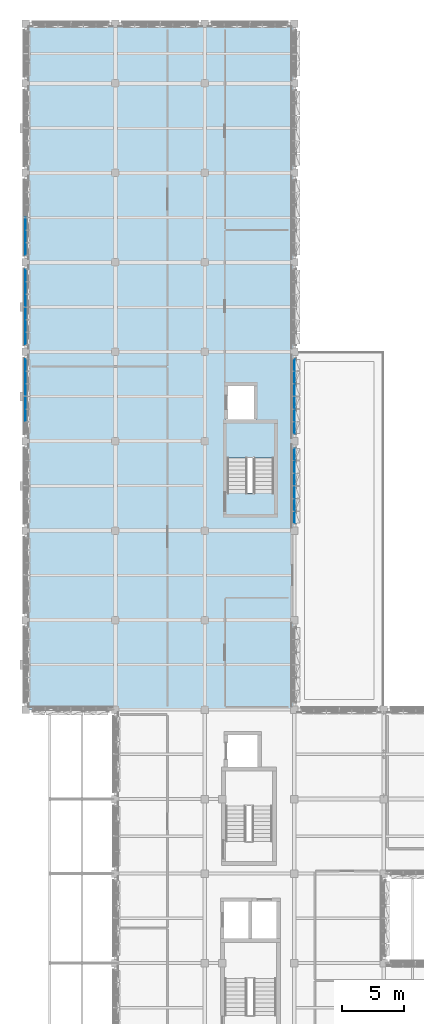
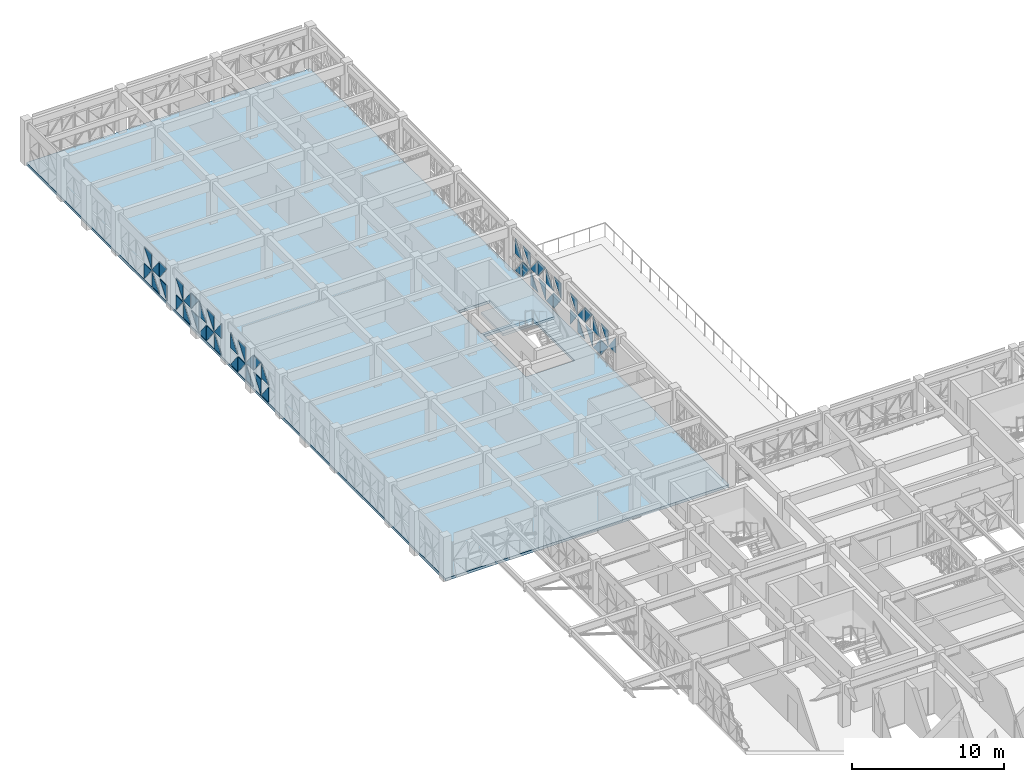
# One storey, part 43 of 99: 51 plates, 2 slabs, 6 elements without a shape of their own.
"""IFC4 building model written with IfcOpenShell, lengths in metres."""

from ifc_helpers import new_model, si_unit, direction, frame, origin, place, context, subcontext, project, spatial, polyline, outline, extrude, material, layer, layer_set, type_object, element, aggregate, save


model = new_model("IFC4")

# Units and contexts
model_context = context("Model", 3, precision=1e-05, world=origin(), true_north=direction((0.0, 1.0)))
body_context = subcontext(model_context, "Body", "Model", "MODEL_VIEW")
ifc_project = project(units=[si_unit("LENGTHUNIT", "METRE"), si_unit("AREAUNIT", "SQUARE_METRE"), si_unit("VOLUMEUNIT", "CUBIC_METRE"), si_unit("PLANEANGLEUNIT", "RADIAN"), si_unit("MASSUNIT", "GRAM", prefix="KILO")], contexts=[model_context])

# Site, building, storey
site_placement = place(None, origin())
site = spatial("IfcSite", under=ifc_project, at=site_placement, CompositionType="ELEMENT")
building_placement = place(site_placement, origin())
building = spatial("IfcBuilding", under=site, at=building_placement, Name="Alvorim Cloister Faculty of Sciences", CompositionType="ELEMENT")
storey_placement = place(building_placement, frame((0.0, 0.0, 12.14990234375)))
storey = spatial("IfcBuildingStorey", under=building, at=storey_placement, Name="L03", CompositionType="ELEMENT", Elevation=12.14990234375)

# Curtain wall, plates
ifc_material_1 = material(Name="Aluminium and Low-E Glass Curtain Wall", Category="aluminium")
curtain_wall_type = type_object("IfcCurtainWallType", Name="CW-TRI-6120x2850", PredefinedType="USERDEFINED", material=ifc_material_1)
curtain_wall_1_placement = place(storey_placement, origin())
curtain_wall_1 = element("IfcCurtainWall", 1, at=curtain_wall_1_placement, inside=storey, type_object=curtain_wall_type, Name="L03 Diagonal Cassette Curtain Wall CW-0109", ObjectType="UNITISED CURTAIN WALL", PredefinedType="USERDEFINED")
ifc_material_2 = material(Name="Double Low-E Laminated Glass", Category="glass")
ifc_layer_1 = layer(ifc_material_2, 0.0400390625)
ifc_layer_set_1 = layer_set([ifc_layer_1], Name="Double Low-E Laminated Glass")
plate_type = type_object("IfcPlateType", Name="PN-GLZ-40", PredefinedType="CURTAIN_PANEL", material=ifc_layer_set_1)
plate_1_placement = place(storey_placement, frame((-0.02490234375, 79.592529296875, 0.14013671875), z_axis=(0.0, 0.0, 1.0), x_axis=(0.0, 1.0, 0.0)))
plate_1 = element("IfcPlate", 2, at=plate_1_placement, type_object=plate_type, Name="Diagonal Glazed Triangle TRI-BL", PredefinedType="CURTAIN_PANEL", context=body_context, shape_type="SweptSolid", body=[
    extrude(outline(polyline([(0.0, 0.0), (0.953125, 0.0), (0.0, 1.212890625), (0.0, 0.0)])), frame((0.0, 0.02490234375, 0.0), z_axis=(0.0, -1.0, 0.0), x_axis=(1.0, 0.0, 0.0)), (0.0, 0.0, 1.0), 0.050048828125),
])
plate_2_placement = place(storey_placement, frame((-0.02490234375, 79.592529296875, 1.4951171875), z_axis=(0.0, 0.0, 1.0), x_axis=(0.0, 1.0, 0.0)))
plate_2 = element("IfcPlate", 3, at=plate_2_placement, type_object=plate_type, Name="Diagonal Glazed Triangle TRI-BR", PredefinedType="CURTAIN_PANEL", context=body_context, shape_type="SweptSolid", body=[
    extrude(outline(polyline([(0.001953125, 0.0), (0.955078125, 0.0), (0.955078125, 1.213134765625), (0.001953125, 0.0)])), frame((0.0, 0.02490234375, 0.0), z_axis=(0.0, -1.0, 0.0), x_axis=(1.0, 0.0, 0.0)), (0.0, 0.0, 1.0), 0.050048828125),
])
plate_3_placement = place(storey_placement, frame((-0.02490234375, 80.612548828125, 0.14013671875), z_axis=(0.0, 0.0, 1.0), x_axis=(0.0, 1.0, 0.0)))
plate_3 = element("IfcPlate", 4, at=plate_3_placement, type_object=plate_type, Name="Diagonal Glazed Triangle TRI-TL", PredefinedType="CURTAIN_PANEL", context=body_context, shape_type="SweptSolid", body=[
    extrude(outline(polyline([(0.953125, 1.21484375), (0.0, 1.21484375), (0.0, 0.001953125), (0.953125, 1.21484375)])), frame((0.0, 0.02490234375, 0.0), z_axis=(0.0, -1.0, 0.0), x_axis=(1.0, 0.0, 0.0)), (0.0, 0.0, 1.0), 0.050048828125),
])
plate_4_placement = place(storey_placement, frame((-0.02490234375, 80.612548828125, 1.4951171875), z_axis=(0.0, 0.0, 1.0), x_axis=(0.0, 1.0, 0.0)))
plate_4 = element("IfcPlate", 5, at=plate_4_placement, type_object=plate_type, Name="Diagonal Glazed Triangle TRI-TR", PredefinedType="CURTAIN_PANEL", context=body_context, shape_type="SweptSolid", body=[
    extrude(outline(polyline([(0.955078125, 0.001953125), (0.955078125, 1.215087890625), (0.001953125, 1.215087890625), (0.955078125, 0.001953125)])), frame((0.0, 0.02490234375, 0.0), z_axis=(0.0, -1.0, 0.0), x_axis=(1.0, 0.0, 0.0)), (0.0, 0.0, 1.0), 0.050048828125),
])
plate_5_placement = place(storey_placement, frame((-0.02490234375, 81.632568359375, 0.14013671875), z_axis=(0.0, 0.0, 1.0), x_axis=(0.0, 1.0, 0.0)))
plate_5 = element("IfcPlate", 6, at=plate_5_placement, type_object=plate_type, Name="Diagonal Glazed Triangle TRI-BR", PredefinedType="CURTAIN_PANEL", context=body_context, shape_type="SweptSolid", body=[
    extrude(outline(polyline([(0.001953125, 0.0), (0.955078125, 0.0), (0.955078125, 1.212890625), (0.001953125, 0.0)])), frame((0.0, 0.02490234375, 0.0), z_axis=(0.0, -1.0, 0.0), x_axis=(1.0, 0.0, 0.0)), (0.0, 0.0, 1.0), 0.050048828125),
])
plate_6_placement = place(storey_placement, frame((-0.02490234375, 81.632568359375, 1.4951171875), z_axis=(0.0, 0.0, 1.0), x_axis=(0.0, 1.0, 0.0)))
plate_6 = element("IfcPlate", 7, at=plate_6_placement, type_object=plate_type, Name="Diagonal Glazed Triangle TRI-BL", PredefinedType="CURTAIN_PANEL", context=body_context, shape_type="SweptSolid", body=[
    extrude(outline(polyline([(0.0, 0.0), (0.953125, 0.0), (0.0, 1.213134765625), (0.0, 0.0)])), frame((0.0, 0.02490234375, 0.0), z_axis=(0.0, -1.0, 0.0), x_axis=(1.0, 0.0, 0.0)), (0.0, 0.0, 1.0), 0.050048828125),
])
plate_7_placement = place(storey_placement, frame((-0.02490234375, 82.652587890625, 0.14013671875), z_axis=(0.0, 0.0, 1.0), x_axis=(0.0, 1.0, 0.0)))
plate_7 = element("IfcPlate", 8, at=plate_7_placement, type_object=plate_type, Name="Diagonal Glazed Triangle TRI-TR", PredefinedType="CURTAIN_PANEL", context=body_context, shape_type="SweptSolid", body=[
    extrude(outline(polyline([(0.955078125, 0.001953125), (0.955078125, 1.21484375), (0.001953125, 1.21484375), (0.955078125, 0.001953125)])), frame((0.0, 0.02490234375, 0.0), z_axis=(0.0, -1.0, 0.0), x_axis=(1.0, 0.0, 0.0)), (0.0, 0.0, 1.0), 0.050048828125),
])
plate_8_placement = place(storey_placement, frame((-0.02490234375, 82.652587890625, 1.4951171875), z_axis=(0.0, 0.0, 1.0), x_axis=(0.0, 1.0, 0.0)))
plate_8 = element("IfcPlate", 9, at=plate_8_placement, type_object=plate_type, Name="Diagonal Glazed Triangle TRI-TL", PredefinedType="CURTAIN_PANEL", context=body_context, shape_type="SweptSolid", body=[
    extrude(outline(polyline([(0.953125, 1.215087890625), (0.0, 1.215087890625), (0.0, 0.001953125), (0.953125, 1.215087890625)])), frame((0.0, 0.02490234375, 0.0), z_axis=(0.0, -1.0, 0.0), x_axis=(1.0, 0.0, 0.0)), (0.0, 0.0, 1.0), 0.050048828125),
])
plate_9_placement = place(storey_placement, frame((-0.02490234375, 83.672607421875, 0.14013671875), z_axis=(0.0, 0.0, 1.0), x_axis=(0.0, 1.0, 0.0)))
plate_9 = element("IfcPlate", 10, at=plate_9_placement, type_object=plate_type, Name="Diagonal Glazed Triangle TRI-BL", PredefinedType="CURTAIN_PANEL", context=body_context, shape_type="SweptSolid", body=[
    extrude(outline(polyline([(0.0, 0.0), (0.920654296875, 0.0), (0.0, 1.212890625), (0.0, 0.0)])), frame((0.0, 0.02490234375, 0.0), z_axis=(0.0, -1.0, 0.0), x_axis=(1.0, 0.0, 0.0)), (0.0, 0.0, 1.0), 0.050048828125),
])
plate_10_placement = place(storey_placement, frame((-0.02490234375, 83.672607421875, 1.4951171875), z_axis=(0.0, 0.0, 1.0), x_axis=(0.0, 1.0, 0.0)))
plate_10 = element("IfcPlate", 11, at=plate_10_placement, type_object=plate_type, Name="Diagonal Glazed Triangle TRI-BR", PredefinedType="CURTAIN_PANEL", context=body_context, shape_type="SweptSolid", body=[
    extrude(outline(polyline([(0.001953125, 0.0), (0.922607421875, 0.0), (0.922607421875, 1.213134765625), (0.001953125, 0.0)])), frame((0.0, 0.02490234375, 0.0), z_axis=(0.0, -1.0, 0.0), x_axis=(1.0, 0.0, 0.0)), (0.0, 0.0, 1.0), 0.050048828125),
])
aggregate(curtain_wall_1, [plate_1, plate_2, plate_3, plate_4, plate_5, plate_6, plate_7, plate_8, plate_9, plate_10])

curtain_wall_2_placement = place(storey_placement, origin())
curtain_wall_2 = element("IfcCurtainWall", 12, at=curtain_wall_2_placement, inside=storey, type_object=curtain_wall_type, Name="L03 Diagonal Cassette Curtain Wall CW-0110", ObjectType="UNITISED CURTAIN WALL", PredefinedType="USERDEFINED")
plate_11_placement = place(storey_placement, frame((-0.02490234375, 85.804931640625, 0.14013671875), z_axis=(0.0, 0.0, 1.0), x_axis=(0.0, 1.0, 0.0)))
plate_11 = element("IfcPlate", 13, at=plate_11_placement, type_object=plate_type, Name="Diagonal Glazed Triangle TRI-BR", PredefinedType="CURTAIN_PANEL", context=body_context, shape_type="SweptSolid", body=[
    extrude(outline(polyline([(0.001953125, 0.0), (0.922607421875, 0.0), (0.922607421875, 1.212890625), (0.001953125, 0.0)])), frame((0.0, 0.02490234375, 0.0), z_axis=(0.0, -1.0, 0.0), x_axis=(1.0, 0.0, 0.0)), (0.0, 0.0, 1.0), 0.050048828125),
])
plate_12_placement = place(storey_placement, frame((-0.02490234375, 85.804931640625, 1.4951171875), z_axis=(0.0, 0.0, 1.0), x_axis=(0.0, 1.0, 0.0)))
plate_12 = element("IfcPlate", 14, at=plate_12_placement, type_object=plate_type, Name="Diagonal Glazed Triangle TRI-BL", PredefinedType="CURTAIN_PANEL", context=body_context, shape_type="SweptSolid", body=[
    extrude(outline(polyline([(0.0, 0.0), (0.920654296875, 0.0), (0.0, 1.213134765625), (0.0, 0.0)])), frame((0.0, 0.02490234375, 0.0), z_axis=(0.0, -1.0, 0.0), x_axis=(1.0, 0.0, 0.0)), (0.0, 0.0, 1.0), 0.050048828125),
])
plate_13_placement = place(storey_placement, frame((-0.02490234375, 86.79248046875, 0.14013671875), z_axis=(0.0, 0.0, 1.0), x_axis=(0.0, 1.0, 0.0)))
plate_13 = element("IfcPlate", 15, at=plate_13_placement, type_object=plate_type, Name="Diagonal Glazed Triangle TRI-TR", PredefinedType="CURTAIN_PANEL", context=body_context, shape_type="SweptSolid", body=[
    extrude(outline(polyline([(0.955078125, 0.001953125), (0.955078125, 1.21484375), (0.001953125, 1.21484375), (0.955078125, 0.001953125)])), frame((0.0, 0.02490234375, 0.0), z_axis=(0.0, -1.0, 0.0), x_axis=(1.0, 0.0, 0.0)), (0.0, 0.0, 1.0), 0.050048828125),
])
plate_14_placement = place(storey_placement, frame((-0.02490234375, 86.79248046875, 1.4951171875), z_axis=(0.0, 0.0, 1.0), x_axis=(0.0, 1.0, 0.0)))
plate_14 = element("IfcPlate", 16, at=plate_14_placement, type_object=plate_type, Name="Diagonal Glazed Triangle TRI-TL", PredefinedType="CURTAIN_PANEL", context=body_context, shape_type="SweptSolid", body=[
    extrude(outline(polyline([(0.953125, 1.215087890625), (0.0, 1.215087890625), (0.0, 0.001953125), (0.953125, 1.215087890625)])), frame((0.0, 0.02490234375, 0.0), z_axis=(0.0, -1.0, 0.0), x_axis=(1.0, 0.0, 0.0)), (0.0, 0.0, 1.0), 0.050048828125),
])
plate_15_placement = place(storey_placement, frame((-0.02490234375, 87.8125, 0.14013671875), z_axis=(0.0, 0.0, 1.0), x_axis=(0.0, 1.0, 0.0)))
plate_15 = element("IfcPlate", 17, at=plate_15_placement, type_object=plate_type, Name="Diagonal Glazed Triangle TRI-BL", PredefinedType="CURTAIN_PANEL", context=body_context, shape_type="SweptSolid", body=[
    extrude(outline(polyline([(0.0, 0.0), (0.953125, 0.0), (0.0, 1.212890625), (0.0, 0.0)])), frame((0.0, 0.02490234375, 0.0), z_axis=(0.0, -1.0, 0.0), x_axis=(1.0, 0.0, 0.0)), (0.0, 0.0, 1.0), 0.050048828125),
])
plate_16_placement = place(storey_placement, frame((-0.02490234375, 87.8125, 1.4951171875), z_axis=(0.0, 0.0, 1.0), x_axis=(0.0, 1.0, 0.0)))
plate_16 = element("IfcPlate", 18, at=plate_16_placement, type_object=plate_type, Name="Diagonal Glazed Triangle TRI-BR", PredefinedType="CURTAIN_PANEL", context=body_context, shape_type="SweptSolid", body=[
    extrude(outline(polyline([(0.001953125, 0.0), (0.955078125, 0.0), (0.955078125, 1.213134765625), (0.001953125, 0.0)])), frame((0.0, 0.02490234375, 0.0), z_axis=(0.0, -1.0, 0.0), x_axis=(1.0, 0.0, 0.0)), (0.0, 0.0, 1.0), 0.050048828125),
])
plate_17_placement = place(storey_placement, frame((-0.02490234375, 88.83251953125, 0.14013671875), z_axis=(0.0, 0.0, 1.0), x_axis=(0.0, 1.0, 0.0)))
plate_17 = element("IfcPlate", 19, at=plate_17_placement, type_object=plate_type, Name="Diagonal Glazed Triangle TRI-TL", PredefinedType="CURTAIN_PANEL", context=body_context, shape_type="SweptSolid", body=[
    extrude(outline(polyline([(0.953125, 1.21484375), (0.0, 1.21484375), (0.0, 0.001953125), (0.953125, 1.21484375)])), frame((0.0, 0.02490234375, 0.0), z_axis=(0.0, -1.0, 0.0), x_axis=(1.0, 0.0, 0.0)), (0.0, 0.0, 1.0), 0.050048828125),
])
plate_18_placement = place(storey_placement, frame((-0.02490234375, 88.83251953125, 1.4951171875), z_axis=(0.0, 0.0, 1.0), x_axis=(0.0, 1.0, 0.0)))
plate_18 = element("IfcPlate", 20, at=plate_18_placement, type_object=plate_type, Name="Diagonal Glazed Triangle TRI-TR", PredefinedType="CURTAIN_PANEL", context=body_context, shape_type="SweptSolid", body=[
    extrude(outline(polyline([(0.955078125, 0.001953125), (0.955078125, 1.215087890625), (0.001953125, 1.215087890625), (0.955078125, 0.001953125)])), frame((0.0, 0.02490234375, 0.0), z_axis=(0.0, -1.0, 0.0), x_axis=(1.0, 0.0, 0.0)), (0.0, 0.0, 1.0), 0.050048828125),
])
plate_19_placement = place(storey_placement, frame((-0.02490234375, 89.8525390625, 0.14013671875), z_axis=(0.0, 0.0, 1.0), x_axis=(0.0, 1.0, 0.0)))
plate_19 = element("IfcPlate", 21, at=plate_19_placement, type_object=plate_type, Name="Diagonal Glazed Triangle TRI-BR", PredefinedType="CURTAIN_PANEL", context=body_context, shape_type="SweptSolid", body=[
    extrude(outline(polyline([(0.001953125, 0.0), (0.955078125, 0.0), (0.955078125, 1.212890625), (0.001953125, 0.0)])), frame((0.0, 0.02490234375, 0.0), z_axis=(0.0, -1.0, 0.0), x_axis=(1.0, 0.0, 0.0)), (0.0, 0.0, 1.0), 0.050048828125),
])
plate_20_placement = place(storey_placement, frame((-0.02490234375, 89.8525390625, 1.4951171875), z_axis=(0.0, 0.0, 1.0), x_axis=(0.0, 1.0, 0.0)))
plate_20 = element("IfcPlate", 22, at=plate_20_placement, type_object=plate_type, Name="Diagonal Glazed Triangle TRI-BL", PredefinedType="CURTAIN_PANEL", context=body_context, shape_type="SweptSolid", body=[
    extrude(outline(polyline([(0.0, 0.0), (0.953125, 0.0), (0.0, 1.213134765625), (0.0, 0.0)])), frame((0.0, 0.02490234375, 0.0), z_axis=(0.0, -1.0, 0.0), x_axis=(1.0, 0.0, 0.0)), (0.0, 0.0, 1.0), 0.050048828125),
])
plate_21_placement = place(storey_placement, frame((-0.02490234375, 90.87255859375, 0.14013671875), z_axis=(0.0, 0.0, 1.0), x_axis=(0.0, 1.0, 0.0)))
plate_21 = element("IfcPlate", 23, at=plate_21_placement, type_object=plate_type, Name="Diagonal Glazed Triangle TRI-TR", PredefinedType="CURTAIN_PANEL", context=body_context, shape_type="SweptSolid", body=[
    extrude(outline(polyline([(0.922607421875, 0.001953125), (0.922607421875, 1.21484375), (0.001953125, 1.21484375), (0.922607421875, 0.001953125)])), frame((0.0, 0.02490234375, 0.0), z_axis=(0.0, -1.0, 0.0), x_axis=(1.0, 0.0, 0.0)), (0.0, 0.0, 1.0), 0.050048828125),
])
plate_22_placement = place(storey_placement, frame((-0.02490234375, 90.87255859375, 1.4951171875), z_axis=(0.0, 0.0, 1.0), x_axis=(0.0, 1.0, 0.0)))
plate_22 = element("IfcPlate", 24, at=plate_22_placement, type_object=plate_type, Name="Diagonal Glazed Triangle TRI-TL", PredefinedType="CURTAIN_PANEL", context=body_context, shape_type="SweptSolid", body=[
    extrude(outline(polyline([(0.920654296875, 1.215087890625), (0.0, 1.215087890625), (0.0, 0.001953125), (0.920654296875, 1.215087890625)])), frame((0.0, 0.02490234375, 0.0), z_axis=(0.0, -1.0, 0.0), x_axis=(1.0, 0.0, 0.0)), (0.0, 0.0, 1.0), 0.050048828125),
])
aggregate(curtain_wall_2, [plate_11, plate_12, plate_13, plate_14, plate_15, plate_16, plate_17, plate_18, plate_19, plate_20, plate_21, plate_22])

curtain_wall_3_placement = place(storey_placement, origin())
curtain_wall_3 = element("IfcCurtainWall", 25, at=curtain_wall_3_placement, inside=storey, type_object=curtain_wall_type, Name="L03 Diagonal Cassette Curtain Wall CW-0111", ObjectType="UNITISED CURTAIN WALL", PredefinedType="USERDEFINED")
plate_23_placement = place(storey_placement, frame((-0.02490234375, 93.0048828125, 0.14013671875), z_axis=(0.0, 0.0, 1.0), x_axis=(0.0, 1.0, 0.0)))
plate_23 = element("IfcPlate", 26, at=plate_23_placement, type_object=plate_type, Name="Diagonal Glazed Triangle TRI-TL", PredefinedType="CURTAIN_PANEL", context=body_context, shape_type="SweptSolid", body=[
    extrude(outline(polyline([(0.920654296875, 1.21484375), (0.0, 1.21484375), (0.0, 0.001953125), (0.920654296875, 1.21484375)])), frame((0.0, 0.02490234375, 0.0), z_axis=(0.0, -1.0, 0.0), x_axis=(1.0, 0.0, 0.0)), (0.0, 0.0, 1.0), 0.050048828125),
])
plate_24_placement = place(storey_placement, frame((-0.02490234375, 93.0048828125, 1.4951171875), z_axis=(0.0, 0.0, 1.0), x_axis=(0.0, 1.0, 0.0)))
plate_24 = element("IfcPlate", 27, at=plate_24_placement, type_object=plate_type, Name="Diagonal Glazed Triangle TRI-TR", PredefinedType="CURTAIN_PANEL", context=body_context, shape_type="SweptSolid", body=[
    extrude(outline(polyline([(0.922607421875, 0.001953125), (0.922607421875, 1.215087890625), (0.001953125, 1.215087890625), (0.922607421875, 0.001953125)])), frame((0.0, 0.02490234375, 0.0), z_axis=(0.0, -1.0, 0.0), x_axis=(1.0, 0.0, 0.0)), (0.0, 0.0, 1.0), 0.050048828125),
])
plate_25_placement = place(storey_placement, frame((-0.02490234375, 93.992431640625, 0.14013671875), z_axis=(0.0, 0.0, 1.0), x_axis=(0.0, 1.0, 0.0)))
plate_25 = element("IfcPlate", 28, at=plate_25_placement, type_object=plate_type, Name="Diagonal Glazed Triangle TRI-BR", PredefinedType="CURTAIN_PANEL", context=body_context, shape_type="SweptSolid", body=[
    extrude(outline(polyline([(0.001953125, 0.0), (0.955078125, 0.0), (0.955078125, 1.212890625), (0.001953125, 0.0)])), frame((0.0, 0.02490234375, 0.0), z_axis=(0.0, -1.0, 0.0), x_axis=(1.0, 0.0, 0.0)), (0.0, 0.0, 1.0), 0.050048828125),
])
plate_26_placement = place(storey_placement, frame((-0.02490234375, 93.992431640625, 1.4951171875), z_axis=(0.0, 0.0, 1.0), x_axis=(0.0, 1.0, 0.0)))
plate_26 = element("IfcPlate", 29, at=plate_26_placement, type_object=plate_type, Name="Diagonal Glazed Triangle TRI-BL", PredefinedType="CURTAIN_PANEL", context=body_context, shape_type="SweptSolid", body=[
    extrude(outline(polyline([(0.0, 0.0), (0.953125, 0.0), (0.0, 1.213134765625), (0.0, 0.0)])), frame((0.0, 0.02490234375, 0.0), z_axis=(0.0, -1.0, 0.0), x_axis=(1.0, 0.0, 0.0)), (0.0, 0.0, 1.0), 0.050048828125),
])
plate_27_placement = place(storey_placement, frame((-0.02490234375, 95.012451171875, 0.14013671875), z_axis=(0.0, 0.0, 1.0), x_axis=(0.0, 1.0, 0.0)))
plate_27 = element("IfcPlate", 30, at=plate_27_placement, type_object=plate_type, Name="Diagonal Glazed Triangle TRI-TR", PredefinedType="CURTAIN_PANEL", context=body_context, shape_type="SweptSolid", body=[
    extrude(outline(polyline([(0.955078125, 0.001953125), (0.955078125, 1.21484375), (0.001953125, 1.21484375), (0.955078125, 0.001953125)])), frame((0.0, 0.02490234375, 0.0), z_axis=(0.0, -1.0, 0.0), x_axis=(1.0, 0.0, 0.0)), (0.0, 0.0, 1.0), 0.050048828125),
])
plate_28_placement = place(storey_placement, frame((-0.02490234375, 95.012451171875, 1.4951171875), z_axis=(0.0, 0.0, 1.0), x_axis=(0.0, 1.0, 0.0)))
plate_28 = element("IfcPlate", 31, at=plate_28_placement, type_object=plate_type, Name="Diagonal Glazed Triangle TRI-TL", PredefinedType="CURTAIN_PANEL", context=body_context, shape_type="SweptSolid", body=[
    extrude(outline(polyline([(0.953125, 1.215087890625), (0.0, 1.215087890625), (0.0, 0.001953125), (0.953125, 1.215087890625)])), frame((0.0, 0.02490234375, 0.0), z_axis=(0.0, -1.0, 0.0), x_axis=(1.0, 0.0, 0.0)), (0.0, 0.0, 1.0), 0.050048828125),
])
aggregate(curtain_wall_3, [plate_23, plate_24, plate_25, plate_26, plate_27, plate_28])

curtain_wall_4_placement = place(storey_placement, origin())
curtain_wall_4 = element("IfcCurtainWall", 32, at=curtain_wall_4_placement, inside=storey, type_object=curtain_wall_type, Name="L03 Diagonal Cassette Curtain Wall CW-0121", ObjectType="UNITISED CURTAIN WALL", PredefinedType="USERDEFINED")
plate_29_placement = place(storey_placement, frame((21.625, 78.60498046875, 0.14013671875), z_axis=(0.0, 0.0, 1.0), x_axis=(0.0, 1.0, 0.0)))
plate_29 = element("IfcPlate", 33, at=plate_29_placement, type_object=plate_type, Name="Diagonal Glazed Triangle TRI-TR", PredefinedType="CURTAIN_PANEL", context=body_context, shape_type="SweptSolid", body=[
    extrude(outline(polyline([(0.922607421875, 0.001953125), (0.922607421875, 1.21484375), (0.001953125, 1.21484375), (0.922607421875, 0.001953125)])), frame((0.0, 0.02490234375, 0.0), z_axis=(0.0, -1.0, 0.0), x_axis=(1.0, 0.0, 0.0)), (0.0, 0.0, 1.0), 0.050048828125),
])
plate_30_placement = place(storey_placement, frame((21.625, 78.60498046875, 1.4951171875), z_axis=(0.0, 0.0, 1.0), x_axis=(0.0, 1.0, 0.0)))
plate_30 = element("IfcPlate", 34, at=plate_30_placement, type_object=plate_type, Name="Diagonal Glazed Triangle TRI-TL", PredefinedType="CURTAIN_PANEL", context=body_context, shape_type="SweptSolid", body=[
    extrude(outline(polyline([(0.920654296875, 1.215087890625), (0.0, 1.215087890625), (0.0, 0.001953125), (0.920654296875, 1.215087890625)])), frame((0.0, 0.02490234375, 0.0), z_axis=(0.0, -1.0, 0.0), x_axis=(1.0, 0.0, 0.0)), (0.0, 0.0, 1.0), 0.050048828125),
])
plate_31_placement = place(storey_placement, frame((21.625, 79.592529296875, 0.14013671875), z_axis=(0.0, 0.0, 1.0), x_axis=(0.0, 1.0, 0.0)))
plate_31 = element("IfcPlate", 35, at=plate_31_placement, type_object=plate_type, Name="Diagonal Glazed Triangle TRI-BL", PredefinedType="CURTAIN_PANEL", context=body_context, shape_type="SweptSolid", body=[
    extrude(outline(polyline([(0.0, 0.0), (0.953125, 0.0), (0.0, 1.212890625), (0.0, 0.0)])), frame((0.0, 0.02490234375, 0.0), z_axis=(0.0, -1.0, 0.0), x_axis=(1.0, 0.0, 0.0)), (0.0, 0.0, 1.0), 0.050048828125),
])
plate_32_placement = place(storey_placement, frame((21.625, 79.592529296875, 1.4951171875), z_axis=(0.0, 0.0, 1.0), x_axis=(0.0, 1.0, 0.0)))
plate_32 = element("IfcPlate", 36, at=plate_32_placement, type_object=plate_type, Name="Diagonal Glazed Triangle TRI-BR", PredefinedType="CURTAIN_PANEL", context=body_context, shape_type="SweptSolid", body=[
    extrude(outline(polyline([(0.001953125, 0.0), (0.955078125, 0.0), (0.955078125, 1.213134765625), (0.001953125, 0.0)])), frame((0.0, 0.02490234375, 0.0), z_axis=(0.0, -1.0, 0.0), x_axis=(1.0, 0.0, 0.0)), (0.0, 0.0, 1.0), 0.050048828125),
])
plate_33_placement = place(storey_placement, frame((21.625, 80.612548828125, 0.14013671875), z_axis=(0.0, 0.0, 1.0), x_axis=(0.0, 1.0, 0.0)))
plate_33 = element("IfcPlate", 37, at=plate_33_placement, type_object=plate_type, Name="Diagonal Glazed Triangle TRI-TL", PredefinedType="CURTAIN_PANEL", context=body_context, shape_type="SweptSolid", body=[
    extrude(outline(polyline([(0.953125, 1.21484375), (0.0, 1.21484375), (0.0, 0.001953125), (0.953125, 1.21484375)])), frame((0.0, 0.02490234375, 0.0), z_axis=(0.0, -1.0, 0.0), x_axis=(1.0, 0.0, 0.0)), (0.0, 0.0, 1.0), 0.050048828125),
])
plate_34_placement = place(storey_placement, frame((21.625, 80.612548828125, 1.4951171875), z_axis=(0.0, 0.0, 1.0), x_axis=(0.0, 1.0, 0.0)))
plate_34 = element("IfcPlate", 38, at=plate_34_placement, type_object=plate_type, Name="Diagonal Glazed Triangle TRI-TR", PredefinedType="CURTAIN_PANEL", context=body_context, shape_type="SweptSolid", body=[
    extrude(outline(polyline([(0.955078125, 0.001953125), (0.955078125, 1.215087890625), (0.001953125, 1.215087890625), (0.955078125, 0.001953125)])), frame((0.0, 0.02490234375, 0.0), z_axis=(0.0, -1.0, 0.0), x_axis=(1.0, 0.0, 0.0)), (0.0, 0.0, 1.0), 0.050048828125),
])
plate_35_placement = place(storey_placement, frame((21.625, 81.632568359375, 0.14013671875), z_axis=(0.0, 0.0, 1.0), x_axis=(0.0, 1.0, 0.0)))
plate_35 = element("IfcPlate", 39, at=plate_35_placement, type_object=plate_type, Name="Diagonal Glazed Triangle TRI-BR", PredefinedType="CURTAIN_PANEL", context=body_context, shape_type="SweptSolid", body=[
    extrude(outline(polyline([(0.001953125, 0.0), (0.955078125, 0.0), (0.955078125, 1.212890625), (0.001953125, 0.0)])), frame((0.0, 0.02490234375, 0.0), z_axis=(0.0, -1.0, 0.0), x_axis=(1.0, 0.0, 0.0)), (0.0, 0.0, 1.0), 0.050048828125),
])
plate_36_placement = place(storey_placement, frame((21.625, 81.632568359375, 1.4951171875), z_axis=(0.0, 0.0, 1.0), x_axis=(0.0, 1.0, 0.0)))
plate_36 = element("IfcPlate", 40, at=plate_36_placement, type_object=plate_type, Name="Diagonal Glazed Triangle TRI-BL", PredefinedType="CURTAIN_PANEL", context=body_context, shape_type="SweptSolid", body=[
    extrude(outline(polyline([(0.0, 0.0), (0.953125, 0.0), (0.0, 1.213134765625), (0.0, 0.0)])), frame((0.0, 0.02490234375, 0.0), z_axis=(0.0, -1.0, 0.0), x_axis=(1.0, 0.0, 0.0)), (0.0, 0.0, 1.0), 0.050048828125),
])
plate_37_placement = place(storey_placement, frame((21.625, 82.652587890625, 0.14013671875), z_axis=(0.0, 0.0, 1.0), x_axis=(0.0, 1.0, 0.0)))
plate_37 = element("IfcPlate", 41, at=plate_37_placement, type_object=plate_type, Name="Diagonal Glazed Triangle TRI-TR", PredefinedType="CURTAIN_PANEL", context=body_context, shape_type="SweptSolid", body=[
    extrude(outline(polyline([(0.955078125, 0.001953125), (0.955078125, 1.21484375), (0.001953125, 1.21484375), (0.955078125, 0.001953125)])), frame((0.0, 0.02490234375, 0.0), z_axis=(0.0, -1.0, 0.0), x_axis=(1.0, 0.0, 0.0)), (0.0, 0.0, 1.0), 0.050048828125),
])
plate_38_placement = place(storey_placement, frame((21.625, 82.652587890625, 1.4951171875), z_axis=(0.0, 0.0, 1.0), x_axis=(0.0, 1.0, 0.0)))
plate_38 = element("IfcPlate", 42, at=plate_38_placement, type_object=plate_type, Name="Diagonal Glazed Triangle TRI-TL", PredefinedType="CURTAIN_PANEL", context=body_context, shape_type="SweptSolid", body=[
    extrude(outline(polyline([(0.953125, 1.215087890625), (0.0, 1.215087890625), (0.0, 0.001953125), (0.953125, 1.215087890625)])), frame((0.0, 0.02490234375, 0.0), z_axis=(0.0, -1.0, 0.0), x_axis=(1.0, 0.0, 0.0)), (0.0, 0.0, 1.0), 0.050048828125),
])
plate_39_placement = place(storey_placement, frame((21.625, 83.672607421875, 0.14013671875), z_axis=(0.0, 0.0, 1.0), x_axis=(0.0, 1.0, 0.0)))
plate_39 = element("IfcPlate", 43, at=plate_39_placement, type_object=plate_type, Name="Diagonal Glazed Triangle TRI-BL", PredefinedType="CURTAIN_PANEL", context=body_context, shape_type="SweptSolid", body=[
    extrude(outline(polyline([(0.0, 0.0), (0.920654296875, 0.0), (0.0, 1.212890625), (0.0, 0.0)])), frame((0.0, 0.02490234375, 0.0), z_axis=(0.0, -1.0, 0.0), x_axis=(1.0, 0.0, 0.0)), (0.0, 0.0, 1.0), 0.050048828125),
])
plate_40_placement = place(storey_placement, frame((21.625, 83.672607421875, 1.4951171875), z_axis=(0.0, 0.0, 1.0), x_axis=(0.0, 1.0, 0.0)))
plate_40 = element("IfcPlate", 44, at=plate_40_placement, type_object=plate_type, Name="Diagonal Glazed Triangle TRI-BR", PredefinedType="CURTAIN_PANEL", context=body_context, shape_type="SweptSolid", body=[
    extrude(outline(polyline([(0.001953125, 0.0), (0.922607421875, 0.0), (0.922607421875, 1.213134765625), (0.001953125, 0.0)])), frame((0.0, 0.02490234375, 0.0), z_axis=(0.0, -1.0, 0.0), x_axis=(1.0, 0.0, 0.0)), (0.0, 0.0, 1.0), 0.050048828125),
])
aggregate(curtain_wall_4, [plate_29, plate_30, plate_31, plate_32, plate_33, plate_34, plate_35, plate_36, plate_37, plate_38, plate_39, plate_40])

curtain_wall_5_placement = place(storey_placement, origin())
curtain_wall_5 = element("IfcCurtainWall", 45, at=curtain_wall_5_placement, inside=storey, type_object=curtain_wall_type, Name="L03 Diagonal Cassette Curtain Wall CW-0122", ObjectType="UNITISED CURTAIN WALL", PredefinedType="USERDEFINED")
plate_41_placement = place(storey_placement, frame((21.625, 71.405029296875, 1.4951171875), z_axis=(0.0, 0.0, 1.0), x_axis=(0.0, 1.0, 0.0)))
plate_41 = element("IfcPlate", 46, at=plate_41_placement, type_object=plate_type, Name="Diagonal Glazed Triangle TRI-BL", PredefinedType="CURTAIN_PANEL", context=body_context, shape_type="SweptSolid", body=[
    extrude(outline(polyline([(0.0, 0.0), (0.920654296875, 0.0), (0.0, 1.213134765625), (0.0, 0.0)])), frame((0.0, 0.02490234375, 0.0), z_axis=(0.0, -1.0, 0.0), x_axis=(1.0, 0.0, 0.0)), (0.0, 0.0, 1.0), 0.050048828125),
])
plate_42_placement = place(storey_placement, frame((21.625, 72.392578125, 0.14013671875), z_axis=(0.0, 0.0, 1.0), x_axis=(0.0, 1.0, 0.0)))
plate_42 = element("IfcPlate", 47, at=plate_42_placement, type_object=plate_type, Name="Diagonal Glazed Triangle TRI-TR", PredefinedType="CURTAIN_PANEL", context=body_context, shape_type="SweptSolid", body=[
    extrude(outline(polyline([(0.955078125, 0.001953125), (0.955078125, 1.21484375), (0.001953125, 1.21484375), (0.955078125, 0.001953125)])), frame((0.0, 0.02490234375, 0.0), z_axis=(0.0, -1.0, 0.0), x_axis=(1.0, 0.0, 0.0)), (0.0, 0.0, 1.0), 0.050048828125),
])
plate_43_placement = place(storey_placement, frame((21.625, 72.392578125, 1.4951171875), z_axis=(0.0, 0.0, 1.0), x_axis=(0.0, 1.0, 0.0)))
plate_43 = element("IfcPlate", 48, at=plate_43_placement, type_object=plate_type, Name="Diagonal Glazed Triangle TRI-TL", PredefinedType="CURTAIN_PANEL", context=body_context, shape_type="SweptSolid", body=[
    extrude(outline(polyline([(0.953125, 1.215087890625), (0.0, 1.215087890625), (0.0, 0.001953125), (0.953125, 1.215087890625)])), frame((0.0, 0.02490234375, 0.0), z_axis=(0.0, -1.0, 0.0), x_axis=(1.0, 0.0, 0.0)), (0.0, 0.0, 1.0), 0.050048828125),
])
plate_44_placement = place(storey_placement, frame((21.625, 73.41259765625, 0.14013671875), z_axis=(0.0, 0.0, 1.0), x_axis=(0.0, 1.0, 0.0)))
plate_44 = element("IfcPlate", 49, at=plate_44_placement, type_object=plate_type, Name="Diagonal Glazed Triangle TRI-BL", PredefinedType="CURTAIN_PANEL", context=body_context, shape_type="SweptSolid", body=[
    extrude(outline(polyline([(0.0, 0.0), (0.953125, 0.0), (0.0, 1.212890625), (0.0, 0.0)])), frame((0.0, 0.02490234375, 0.0), z_axis=(0.0, -1.0, 0.0), x_axis=(1.0, 0.0, 0.0)), (0.0, 0.0, 1.0), 0.050048828125),
])
plate_45_placement = place(storey_placement, frame((21.625, 73.41259765625, 1.4951171875), z_axis=(0.0, 0.0, 1.0), x_axis=(0.0, 1.0, 0.0)))
plate_45 = element("IfcPlate", 50, at=plate_45_placement, type_object=plate_type, Name="Diagonal Glazed Triangle TRI-BR", PredefinedType="CURTAIN_PANEL", context=body_context, shape_type="SweptSolid", body=[
    extrude(outline(polyline([(0.001953125, 0.0), (0.955078125, 0.0), (0.955078125, 1.213134765625), (0.001953125, 0.0)])), frame((0.0, 0.02490234375, 0.0), z_axis=(0.0, -1.0, 0.0), x_axis=(1.0, 0.0, 0.0)), (0.0, 0.0, 1.0), 0.050048828125),
])
plate_46_placement = place(storey_placement, frame((21.625, 74.4326171875, 0.14013671875), z_axis=(0.0, 0.0, 1.0), x_axis=(0.0, 1.0, 0.0)))
plate_46 = element("IfcPlate", 51, at=plate_46_placement, type_object=plate_type, Name="Diagonal Glazed Triangle TRI-TL", PredefinedType="CURTAIN_PANEL", context=body_context, shape_type="SweptSolid", body=[
    extrude(outline(polyline([(0.953125, 1.21484375), (0.0, 1.21484375), (0.0, 0.001953125), (0.953125, 1.21484375)])), frame((0.0, 0.02490234375, 0.0), z_axis=(0.0, -1.0, 0.0), x_axis=(1.0, 0.0, 0.0)), (0.0, 0.0, 1.0), 0.050048828125),
])
plate_47_placement = place(storey_placement, frame((21.625, 74.4326171875, 1.4951171875), z_axis=(0.0, 0.0, 1.0), x_axis=(0.0, 1.0, 0.0)))
plate_47 = element("IfcPlate", 52, at=plate_47_placement, type_object=plate_type, Name="Diagonal Glazed Triangle TRI-TR", PredefinedType="CURTAIN_PANEL", context=body_context, shape_type="SweptSolid", body=[
    extrude(outline(polyline([(0.955078125, 0.001953125), (0.955078125, 1.215087890625), (0.001953125, 1.215087890625), (0.955078125, 0.001953125)])), frame((0.0, 0.02490234375, 0.0), z_axis=(0.0, -1.0, 0.0), x_axis=(1.0, 0.0, 0.0)), (0.0, 0.0, 1.0), 0.050048828125),
])
plate_48_placement = place(storey_placement, frame((21.625, 75.452392578125, 0.14013671875), z_axis=(0.0, 0.0, 1.0), x_axis=(0.0, 1.0, 0.0)))
plate_48 = element("IfcPlate", 53, at=plate_48_placement, type_object=plate_type, Name="Diagonal Glazed Triangle TRI-BR", PredefinedType="CURTAIN_PANEL", context=body_context, shape_type="SweptSolid", body=[
    extrude(outline(polyline([(0.001953125, 0.0), (0.955078125, 0.0), (0.955078125, 1.212890625), (0.001953125, 0.0)])), frame((0.0, 0.02490234375, 0.0), z_axis=(0.0, -1.0, 0.0), x_axis=(1.0, 0.0, 0.0)), (0.0, 0.0, 1.0), 0.050048828125),
])
plate_49_placement = place(storey_placement, frame((21.625, 75.452392578125, 1.4951171875), z_axis=(0.0, 0.0, 1.0), x_axis=(0.0, 1.0, 0.0)))
plate_49 = element("IfcPlate", 54, at=plate_49_placement, type_object=plate_type, Name="Diagonal Glazed Triangle TRI-BL", PredefinedType="CURTAIN_PANEL", context=body_context, shape_type="SweptSolid", body=[
    extrude(outline(polyline([(0.0, 0.0), (0.953125, 0.0), (0.0, 1.213134765625), (0.0, 0.0)])), frame((0.0, 0.02490234375, 0.0), z_axis=(0.0, -1.0, 0.0), x_axis=(1.0, 0.0, 0.0)), (0.0, 0.0, 1.0), 0.050048828125),
])
plate_50_placement = place(storey_placement, frame((21.625, 76.472412109375, 0.14013671875), z_axis=(0.0, 0.0, 1.0), x_axis=(0.0, 1.0, 0.0)))
plate_50 = element("IfcPlate", 55, at=plate_50_placement, type_object=plate_type, Name="Diagonal Glazed Triangle TRI-TR", PredefinedType="CURTAIN_PANEL", context=body_context, shape_type="SweptSolid", body=[
    extrude(outline(polyline([(0.922607421875, 0.001953125), (0.922607421875, 1.21484375), (0.001953125, 1.21484375), (0.922607421875, 0.001953125)])), frame((0.0, 0.02490234375, 0.0), z_axis=(0.0, -1.0, 0.0), x_axis=(1.0, 0.0, 0.0)), (0.0, 0.0, 1.0), 0.050048828125),
])
plate_51_placement = place(storey_placement, frame((21.625, 76.472412109375, 1.4951171875), z_axis=(0.0, 0.0, 1.0), x_axis=(0.0, 1.0, 0.0)))
plate_51 = element("IfcPlate", 56, at=plate_51_placement, type_object=plate_type, Name="Diagonal Glazed Triangle TRI-TL", PredefinedType="CURTAIN_PANEL", context=body_context, shape_type="SweptSolid", body=[
    extrude(outline(polyline([(0.920654296875, 1.215087890625), (0.0, 1.215087890625), (0.0, 0.001953125), (0.920654296875, 1.215087890625)])), frame((0.0, 0.02490234375, 0.0), z_axis=(0.0, -1.0, 0.0), x_axis=(1.0, 0.0, 0.0)), (0.0, 0.0, 1.0), 0.050048828125),
])
aggregate(curtain_wall_5, [plate_41, plate_42, plate_43, plate_44, plate_45, plate_46, plate_47, plate_48, plate_49, plate_50, plate_51])

# Slab
ifc_material_3 = material(Name="Cross-Laminated Timber CLT C24", Category="wood")
ifc_layer_2 = layer(ifc_material_3, 0.2099609375)
ifc_layer_set_2 = layer_set([ifc_layer_2], Name="Cross-Laminated Timber CLT C24")
slab_type_1 = type_object("IfcSlabType", Name="SL-CLT-210", PredefinedType="FLOOR", material=ifc_layer_set_2)
slab_1_placement = place(storey_placement, frame((0.0, 0.0, -0.2099609375)))
element("IfcSlab", 57, at=slab_1_placement, inside=storey, type_object=slab_type_1, Name="L03 V2 Structural Slab 27", PredefinedType="FLOOR", context=body_context, shape_type="SweptSolid", body=[
    extrude(outline(polyline([(0.0048828125, 56.405029296875), (0.0048828125, 111.594970703125), (21.594970703125, 111.594970703125), (21.594970703125, 56.405029296875), (0.0048828125, 56.405029296875)]), holes=[polyline([(19.919921875, 79.39990234375), (16.199951171875, 79.39990234375), (16.199951171875, 73.830078125), (19.919921875, 73.830078125), (19.919921875, 79.39990234375)]), polyline([(18.5, 82.60009765625), (16.10009765625, 82.60009765625), (16.10009765625, 79.60009765625), (18.5, 79.60009765625), (18.5, 82.60009765625)])]), origin(), (0.0, 0.0, 1.0), 0.2099609375),
])

# Stair, slab
ifc_material_4 = material(Name="Concrete C40", Category="concrete")
stair_type = type_object("IfcStairType", Name="STR-ST-05-1600x3600", PredefinedType="HALF_TURN_STAIR", material=ifc_material_4)
stair_placement = place(storey_placement, origin())
stair = element("IfcStair", 58, at=stair_placement, inside=storey, type_object=stair_type, Name="L03 Enclosed Smoke-Proof Stair ST-05", PredefinedType="HALF_TURN_STAIR")
ifc_layer_3 = layer(ifc_material_4, 0.199951171875)
ifc_layer_set_3 = layer_set([ifc_layer_3], Name="Concrete C40")
slab_type_2 = type_object("IfcSlabType", Name="SL-LAND-200", PredefinedType="LANDING", material=ifc_layer_set_3)
slab_2_placement = place(storey_placement, frame((0.0, 0.0, 1.60009765625)))
slab_2 = element("IfcSlab", 59, at=slab_2_placement, type_object=slab_type_2, Name="ST-05 landing 1", PredefinedType="LANDING", context=body_context, shape_type="SweptSolid", body=[
    extrude(outline(polyline([(20.0400390625, 76.635009765625), (20.0400390625, 79.52001953125), (16.080078125, 79.52001953125), (16.080078125, 76.635009765625), (20.0400390625, 76.635009765625)])), origin(), (0.0, 0.0, 1.0), 0.199951171875),
])
aggregate(stair, [slab_2])

save(model, "model.ifc")
